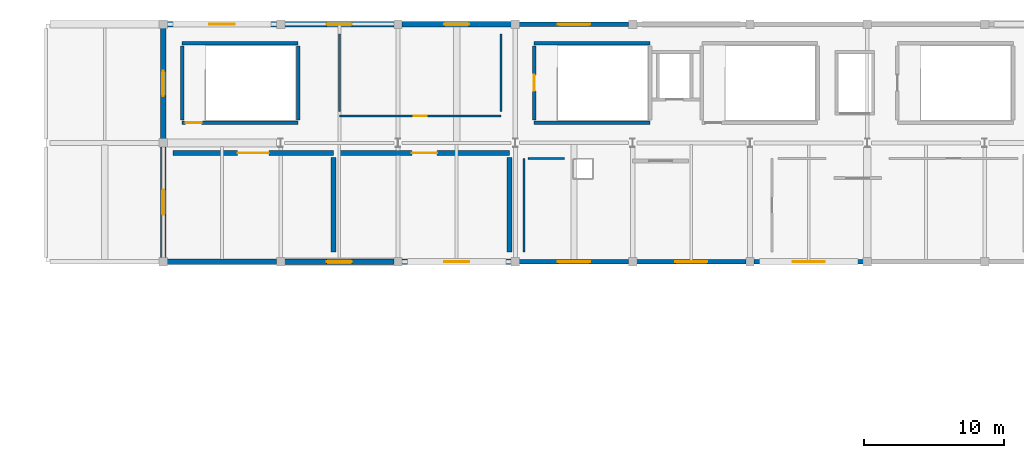
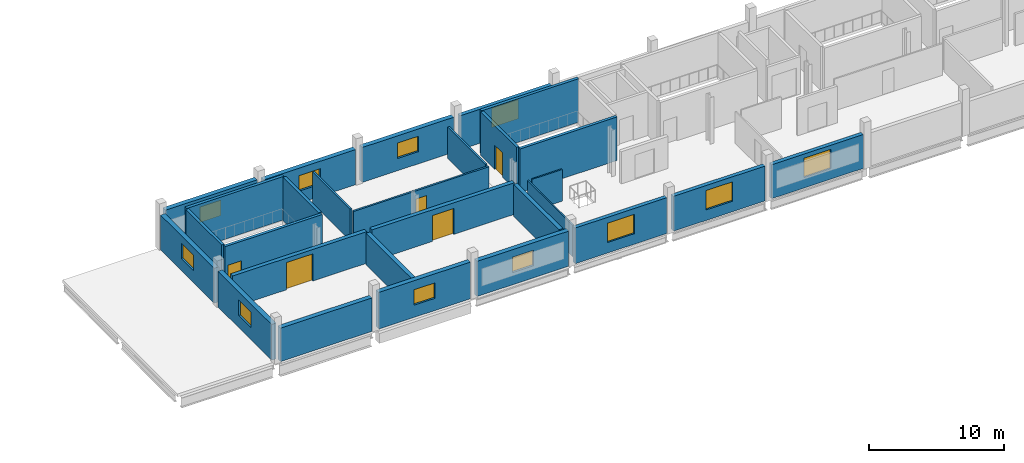
# One storey, part 9 of 13: 28 walls, 11 windows, 5 doors, 16 openings.
"""IFC4 building model written with IfcOpenShell, lengths in metres."""

from ifc_helpers import new_model, si_unit, direction, frame, frame_2d, origin, place, context, subcontext, project, spatial, rectangle, extrude, material, layer, layer_set, type_object, element, fill, save


model = new_model("IFC4")

# Units and contexts
model_context = context("Model", 3, precision=1e-05, world=origin(), true_north=direction((0.0, 1.0)))
body_context = subcontext(model_context, "Body", "Model", "MODEL_VIEW")
ifc_project = project(units=[si_unit("LENGTHUNIT", "METRE"), si_unit("AREAUNIT", "SQUARE_METRE"), si_unit("VOLUMEUNIT", "CUBIC_METRE"), si_unit("PLANEANGLEUNIT", "RADIAN"), si_unit("MASSUNIT", "GRAM", prefix="KILO")], contexts=[model_context])

# Site, building, storey
site_placement = place(None, origin())
site = spatial("IfcSite", under=ifc_project, at=site_placement, CompositionType="ELEMENT")
building_placement = place(site_placement, origin())
building = spatial("IfcBuilding", under=site, at=building_placement, Name="Solvento Point Concert Hall", CompositionType="ELEMENT")
storey_placement = place(building_placement, frame((0.0, 0.0, 23.699951171875)))
storey = spatial("IfcBuildingStorey", under=building, at=storey_placement, Name="L05", CompositionType="ELEMENT", Elevation=23.699951171875)

# Walls
ifc_material_1 = material(Name="Acoustic Double-Stud Gypsum Partition")
ifc_layer_1 = layer(ifc_material_1, 0.1201171875)
ifc_layer_set_1 = layer_set([ifc_layer_1], Name="Acoustic Double-Stud Gypsum Partition")
wall_type_1 = type_object("IfcWallType", Name="AcousticPartition_120", PredefinedType="PARTITIONING", material=ifc_layer_set_1)
wall_1_placement = place(storey_placement, frame((167.419921875, 119.699951171875, 0.0), z_axis=(0.0, 0.0, 1.0), x_axis=(0.0, 1.0, 0.0)))
element("IfcWall", 1, at=wall_1_placement, inside=storey, type_object=wall_type_1, Name="Interior acoustic partition PW-52 L05", PredefinedType="PARTITIONING", context=body_context, shape_type="SweptSolid", body=[
    extrude(rectangle(XDim=6.679931640625, YDim=0.1201171875, at=frame_2d((3.33984375, 0.0))), origin(), (0.0, 0.0, 1.0), 2.860107421875),
])
wall_2_placement = place(storey_placement, frame((167.739990234375, 126.3798828125, 0.0), z_axis=(0.0, 0.0, 1.0), x_axis=(1.0, 0.0, 0.0)))
element("IfcWall", 2, at=wall_2_placement, inside=storey, type_object=wall_type_1, Name="Interior acoustic partition PW-52 L05", PredefinedType="PARTITIONING", context=body_context, shape_type="SweptSolid", body=[
    extrude(rectangle(XDim=2.565185546875, YDim=0.1201171875, at=frame_2d((1.28271484375, 0.0))), origin(), (0.0, 0.0, 1.0), 2.860107421875),
])

# Wall, opening, door
ifc_material_2 = material(Name="Acoustic Double-Stud Gypsum Partition")
ifc_layer_2 = layer(ifc_material_2, 0.159912109375)
ifc_layer_set_2 = layer_set([ifc_layer_2], Name="Acoustic Double-Stud Gypsum Partition")
wall_type_2 = type_object("IfcWallType", Name="AcousticPartition_160", PredefinedType="PARTITIONING", material=ifc_layer_set_2)
wall_3_placement = place(storey_placement, frame((165.780029296875, 129.419921875, 0.0), z_axis=(0.0, 0.0, 1.0), x_axis=(-1.0, 0.0, 0.0)))
wall_3 = element("IfcWall", 3, at=wall_3_placement, inside=storey, type_object=wall_type_2, Name="Interior acoustic partition PW-97 L05", PredefinedType="PARTITIONING", context=body_context, shape_type="SweptSolid", body=[
    extrude(rectangle(XDim=11.56005859375, YDim=0.159912109375, at=frame_2d((5.780029296875, 0.0))), origin(), (0.0, 0.0, 1.0), 2.860107421875),
])
opening_1_placement = place(wall_3_placement, frame((5.320068359375, 0.0, 0.0)))
opening_1 = element("IfcOpeningElement", 4, at=opening_1_placement, cuts=wall_3, Name="Opening DR-46", PredefinedType="OPENING", context=body_context, shape_type="SweptSolid", body=[
    extrude(rectangle(XDim=0.919921875, YDim=2.1201171875, at=frame_2d((0.4599609375, 1.06005859375))), frame((0.0, 0.08984375, 0.0), z_axis=(0.0, -1.0, 0.0), x_axis=(1.0, 0.0, 0.0)), (0.0, 0.0, 1.0), 0.179931640625),
])
ifc_material_3 = material(Name="Brazilian Hardwood Acoustic Door", Category="wood")
door_type_1 = type_object("IfcDoorType", Name="IntDoor_AccessibleWC", OperationType="NOTDEFINED", PredefinedType="DOOR", material=ifc_material_3)
door_1_placement = place(opening_1_placement, origin())
door_1 = element("IfcDoor", 5, at=door_1_placement, inside=storey, type_object=door_type_1, Name="Interior door DR-46 L05", OperationType="SINGLE_SWING_LEFT", OverallHeight=2.1201171875, OverallWidth=0.919921875, PredefinedType="DOOR", context=body_context, shape_type="SweptSolid", body=[
    extrude(rectangle(XDim=0.919921875, YDim=2.1201171875, at=frame_2d((0.4599609375, 1.06005859375))), frame((0.0, 0.02490234375, 0.0), z_axis=(0.0, -1.0, 0.0), x_axis=(1.0, 0.0, 0.0)), (0.0, 0.0, 1.0), 0.050048828125),
])
fill(opening_1, door_1)

# Walls
for number, where, z_axis, x_axis, name in (
    (6, (165.780029296875, 135.300048828125, 0.0), (0.0, 0.0, 1.0), (0.0, -1.0, 0.0), "Interior acoustic partition PW-97 L05"),
    (7, (154.219970703125, 129.739990234375, 0.0), (0.0, 0.0, 1.0), (0.0, 1.0, 0.0), "Interior acoustic partition PW-97 L05"),
):
    element("IfcWall", number, at=place(storey_placement, frame(where, z_axis=z_axis, x_axis=x_axis)), inside=storey, type_object=wall_type_2, Name=name, PredefinedType="PARTITIONING", context=body_context, shape_type="SweptSolid", body=[
        extrude(rectangle(XDim=5.56005859375, YDim=0.159912109375, at=frame_2d((2.780029296875, 0.0))), origin(), (0.0, 0.0, 1.0), 2.860107421875),
    ])

# Wall, opening, door
ifc_material_4 = material(Name="Acoustic Double-Stud Gypsum Partition")
ifc_layer_3 = layer(ifc_material_4, 0.340087890625)
ifc_layer_set_3 = layer_set([ifc_layer_3], Name="Acoustic Double-Stud Gypsum Partition")
wall_type_3 = type_object("IfcWallType", Name="AcousticPartition_340", PredefinedType="PARTITIONING", material=ifc_layer_set_3)
wall_4_placement = place(storey_placement, frame((142.300048828125, 126.780029296875, 0.0), z_axis=(0.0, 0.0, 1.0), x_axis=(1.0, 0.0, 0.0)))
wall_4 = element("IfcWall", 8, at=wall_4_placement, inside=storey, type_object=wall_type_3, Name="Interior acoustic partition PW-24 L05", PredefinedType="PARTITIONING", context=body_context, shape_type="SweptSolid", body=[
    extrude(rectangle(XDim=11.47998046875, YDim=0.340087890625, at=frame_2d((5.739990234375, 0.0))), origin(), (0.0, 0.0, 1.0), 2.860107421875),
])
opening_2_placement = place(wall_4_placement, frame((4.614990234375, 0.0, 0.0)))
opening_2 = element("IfcOpeningElement", 9, at=opening_2_placement, cuts=wall_4, Name="Opening DR-49", PredefinedType="OPENING", context=body_context, shape_type="SweptSolid", body=[
    extrude(rectangle(XDim=2.25, YDim=2.4599609375, at=frame_2d((1.125, 1.22998046875))), frame((0.0, 0.179931640625, 0.0), z_axis=(0.0, -1.0, 0.0), x_axis=(1.0, 0.0, 0.0)), (0.0, 0.0, 1.0), 0.360107421875),
])
ifc_material_5 = material(Name="Brazilian Hardwood Acoustic Door", Category="wood")
door_type_2 = type_object("IfcDoorType", Name="IntDoor_AcousticAHU", OperationType="NOTDEFINED", PredefinedType="DOOR", material=ifc_material_5)
door_2_placement = place(opening_2_placement, origin())
door_2 = element("IfcDoor", 10, at=door_2_placement, inside=storey, type_object=door_type_2, Name="Interior door DR-49 L05", OperationType="SINGLE_SWING_LEFT", OverallHeight=2.4599609375, OverallWidth=2.25, PredefinedType="DOOR", context=body_context, shape_type="SweptSolid", body=[
    extrude(rectangle(XDim=2.25, YDim=2.4599609375, at=frame_2d((1.125, 1.22998046875))), frame((0.0, 0.02490234375, 0.0), z_axis=(0.0, -1.0, 0.0), x_axis=(1.0, 0.0, 0.0)), (0.0, 0.0, 1.0), 0.050048828125),
])
fill(opening_2, door_2)

# Wall
wall_5_placement = place(storey_placement, frame((153.780029296875, 126.4599609375, 0.0), z_axis=(0.0, 0.0, 1.0), x_axis=(0.0, -1.0, 0.0)))
element("IfcWall", 11, at=wall_5_placement, inside=storey, type_object=wall_type_3, Name="Interior acoustic partition PW-24 L05", PredefinedType="PARTITIONING", context=body_context, shape_type="SweptSolid", body=[
    extrude(rectangle(XDim=6.760009765625, YDim=0.340087890625, at=frame_2d((3.3798828125, 0.0))), origin(), (0.0, 0.0, 1.0), 2.860107421875),
])

# Wall, opening, door
wall_6_placement = place(storey_placement, frame((154.219970703125, 126.780029296875, 0.0), z_axis=(0.0, 0.0, 1.0), x_axis=(1.0, 0.0, 0.0)))
wall_6 = element("IfcWall", 12, at=wall_6_placement, inside=storey, type_object=wall_type_3, Name="Interior acoustic partition PW-24 L05", PredefinedType="PARTITIONING", context=body_context, shape_type="SweptSolid", body=[
    extrude(rectangle(XDim=12.159912109375, YDim=0.340087890625, at=frame_2d((6.080078125, 0.0))), origin(), (0.0, 0.0, 1.0), 2.860107421875),
])
opening_3_placement = place(wall_6_placement, frame((5.179931640625, 0.0, 0.0)))
opening_3 = element("IfcOpeningElement", 13, at=opening_3_placement, cuts=wall_6, Name="Opening DR-98", PredefinedType="OPENING", context=body_context, shape_type="SweptSolid", body=[
    extrude(rectangle(XDim=1.800048828125, YDim=2.340087890625, at=frame_2d((0.89990234375, 1.169921875))), frame((0.0, 0.179931640625, 0.0), z_axis=(0.0, -1.0, 0.0), x_axis=(1.0, 0.0, 0.0)), (0.0, 0.0, 1.0), 0.360107421875),
])
ifc_material_6 = material(Name="Brazilian Hardwood Acoustic Door", Category="wood")
door_type_3 = type_object("IfcDoorType", Name="IntDoor_SubstationPlant", OperationType="NOTDEFINED", PredefinedType="DOOR", material=ifc_material_6)
door_3_placement = place(opening_3_placement, origin())
door_3 = element("IfcDoor", 14, at=door_3_placement, inside=storey, type_object=door_type_3, Name="Interior door DR-98 L05", OperationType="SINGLE_SWING_RIGHT", OverallHeight=2.340087890625, OverallWidth=1.800048828125, PredefinedType="DOOR", context=body_context, shape_type="SweptSolid", body=[
    extrude(rectangle(XDim=1.800048828125, YDim=2.340087890625, at=frame_2d((0.89990234375, 1.169921875))), frame((0.0, 0.02490234375, 0.0), z_axis=(0.0, -1.0, 0.0), x_axis=(1.0, 0.0, 0.0)), (0.0, 0.0, 1.0), 0.050048828125),
])
fill(opening_3, door_3)

# Walls
wall_7_placement = place(storey_placement, frame((166.3798828125, 126.4599609375, 0.0), z_axis=(0.0, 0.0, 1.0), x_axis=(0.0, -1.0, 0.0)))
element("IfcWall", 15, at=wall_7_placement, inside=storey, type_object=wall_type_3, Name="Interior acoustic partition PW-24 L05", PredefinedType="PARTITIONING", context=body_context, shape_type="SweptSolid", body=[
    extrude(rectangle(XDim=6.760009765625, YDim=0.340087890625, at=frame_2d((3.3798828125, 0.0))), origin(), (0.0, 0.0, 1.0), 2.860107421875),
])
ifc_material_7 = material(Name="Concrete C40/50", Category="concrete")
ifc_layer_4 = layer(ifc_material_7, 0.300048828125)
ifc_layer_set_4 = layer_set([ifc_layer_4], Name="Concrete C40/50")
wall_type_4 = type_object("IfcWallType", Name="CoreShearWall_300", PredefinedType="SHEAR", material=ifc_layer_set_4)
for number, where, z_axis, x_axis, name in (
    (16, (176.449951171875, 128.949951171875, 0.0), (0.0, 0.0, 1.0), (-1.0, 0.0, 0.0), "Stair core shear wall W-SH1 ST-01 L05"),
    (17, (168.14990234375, 134.64990234375, 0.0), (0.0, 0.0, 1.0), (1.0, 0.0, 0.0), "Stair core shear wall W-SH1 ST-01 L05"),
):
    element("IfcWall", number, at=place(storey_placement, frame(where, z_axis=z_axis, x_axis=x_axis)), inside=storey, type_object=wall_type_4, Name=name, PredefinedType="SHEAR", context=body_context, shape_type="SweptSolid", body=[
        extrude(rectangle(XDim=8.300048828125, YDim=0.25, at=frame_2d((4.14990234375, 0.0))), origin(), (0.0, 0.0, 1.0), 3.93994140625),
    ])

# Wall, opening, door
wall_8_placement = place(storey_placement, frame((168.14990234375, 129.14990234375, 0.0), z_axis=(0.0, 0.0, 1.0), x_axis=(0.0, 1.0, 0.0)))
wall_8 = element("IfcWall", 18, at=wall_8_placement, inside=storey, type_object=wall_type_4, Name="Stair core shear wall W-SH1 ST-01 L05", PredefinedType="SHEAR", context=body_context, shape_type="SweptSolid", body=[
    extrude(rectangle(XDim=5.300048828125, YDim=0.25, at=frame_2d((2.64990234375, 0.0))), origin(), (0.0, 0.0, 1.0), 3.93994140625),
])
opening_4_placement = place(wall_8_placement, frame((2.074951171875, 0.0, 0.0)))
opening_4 = element("IfcOpeningElement", 19, at=opening_4_placement, cuts=wall_8, Name="Opening D-ST1", PredefinedType="OPENING", context=body_context, shape_type="SweptSolid", body=[
    extrude(rectangle(XDim=1.14990234375, YDim=2.179931640625, at=frame_2d((0.574951171875, 1.08984375))), frame((0.0, 0.135009765625, 0.0), z_axis=(0.0, -1.0, 0.0), x_axis=(1.0, 0.0, 0.0)), (0.0, 0.0, 1.0), 0.27001953125),
])
ifc_material_8 = material(Name="Hollow Metal Acoustic Fire Door")
door_type_4 = type_object("IfcDoorType", Name="StairFireDoor_1150", OperationType="NOTDEFINED", PredefinedType="DOOR", material=ifc_material_8)
door_4_placement = place(opening_4_placement, origin())
door_4 = element("IfcDoor", 20, at=door_4_placement, inside=storey, type_object=door_type_4, Name="Protected exit stair door ST-01 L05", OperationType="SINGLE_SWING_LEFT", OverallHeight=2.179931640625, OverallWidth=1.14990234375, PredefinedType="DOOR", context=body_context, shape_type="SweptSolid", body=[
    extrude(rectangle(XDim=1.14990234375, YDim=2.179931640625, at=frame_2d((0.574951171875, 1.08984375))), frame((0.0, 0.02490234375, 0.0), z_axis=(0.0, -1.0, 0.0), x_axis=(1.0, 0.0, 0.0)), (0.0, 0.0, 1.0), 0.050048828125),
])
fill(opening_4, door_4)

wall_9_placement = place(storey_placement, frame((151.25, 128.949951171875, 0.0), z_axis=(0.0, 0.0, 1.0), x_axis=(-1.0, 0.0, 0.0)))
wall_9 = element("IfcWall", 21, at=wall_9_placement, inside=storey, type_object=wall_type_4, Name="Stair core shear wall W-SH1 ST-12 L05", PredefinedType="SHEAR", context=body_context, shape_type="SweptSolid", body=[
    extrude(rectangle(XDim=8.300048828125, YDim=0.25, at=frame_2d((4.14990234375, 0.0))), origin(), (0.0, 0.0, 1.0), 3.93994140625),
])
opening_5_placement = place(wall_9_placement, frame((6.89990234375, 0.0, 0.0)))
opening_5 = element("IfcOpeningElement", 22, at=opening_5_placement, cuts=wall_9, Name="Opening D-ST1", PredefinedType="OPENING", context=body_context, shape_type="SweptSolid", body=[
    extrude(rectangle(XDim=1.14990234375, YDim=2.179931640625, at=frame_2d((0.574951171875, 1.08984375))), frame((0.0, 0.135009765625, 0.0), z_axis=(0.0, -1.0, 0.0), x_axis=(1.0, 0.0, 0.0)), (0.0, 0.0, 1.0), 0.27001953125),
])
door_5_placement = place(opening_5_placement, origin())
door_5 = element("IfcDoor", 23, at=door_5_placement, inside=storey, type_object=door_type_4, Name="Protected exit stair door ST-12 L05", OperationType="SINGLE_SWING_LEFT", OverallHeight=2.179931640625, OverallWidth=1.14990234375, PredefinedType="DOOR", context=body_context, shape_type="SweptSolid", body=[
    extrude(rectangle(XDim=1.14990234375, YDim=2.179931640625, at=frame_2d((0.574951171875, 1.08984375))), frame((0.0, 0.02490234375, 0.0), z_axis=(0.0, -1.0, 0.0), x_axis=(1.0, 0.0, 0.0)), (0.0, 0.0, 1.0), 0.050048828125),
])
fill(opening_5, door_5)

# Walls
wall_10_placement = place(storey_placement, frame((142.949951171875, 134.64990234375, 0.0), z_axis=(0.0, 0.0, 1.0), x_axis=(1.0, 0.0, 0.0)))
element("IfcWall", 24, at=wall_10_placement, inside=storey, type_object=wall_type_4, Name="Stair core shear wall W-SH1 ST-12 L05", PredefinedType="SHEAR", context=body_context, shape_type="SweptSolid", body=[
    extrude(rectangle(XDim=8.300048828125, YDim=0.25, at=frame_2d((4.14990234375, 0.0))), origin(), (0.0, 0.0, 1.0), 3.93994140625),
])
for number, where, z_axis, x_axis, name in (
    (25, (142.949951171875, 129.14990234375, 0.0), (0.0, 0.0, 1.0), (0.0, 1.0, 0.0), "Stair core shear wall W-SH1 ST-12 L05"),
    (26, (151.25, 134.449951171875, 0.0), (0.0, 0.0, 1.0), (0.0, -1.0, 0.0), "Stair core shear wall W-SH1 ST-12 L05"),
):
    element("IfcWall", number, at=place(storey_placement, frame(where, z_axis=z_axis, x_axis=x_axis)), inside=storey, type_object=wall_type_4, Name=name, PredefinedType="SHEAR", context=body_context, shape_type="SweptSolid", body=[
        extrude(rectangle(XDim=5.300048828125, YDim=0.25, at=frame_2d((2.64990234375, 0.0))), origin(), (0.0, 0.0, 1.0), 3.93994140625),
    ])
ifc_material_9 = material(Name="Concrete C40/50", Category="concrete")
ifc_layer_5 = layer(ifc_material_9, 0.389892578125)
ifc_layer_set_5 = layer_set([ifc_layer_5], Name="Concrete C40/50")
wall_type_5 = type_object("IfcWallType", Name="ExtWall_V1_Gallery_390", PredefinedType="SOLIDWALL", material=ifc_layer_set_5)
wall_11_placement = place(storey_placement, frame((149.719970703125, 119.0, 0.0), z_axis=(0.0, 0.0, 1.0), x_axis=(-1.0, 0.0, 0.0)))
element("IfcWall", 27, at=wall_11_placement, inside=storey, type_object=wall_type_5, Name="Exterior architectural concrete wall EW-28 L05", PredefinedType="SOLIDWALL", context=body_context, shape_type="SweptSolid", body=[
    extrude(rectangle(XDim=7.840087890625, YDim=0.389892578125, at=frame_2d((3.919921875, 0.0))), origin(), (0.0, 0.0, 1.0), 3.024169921875),
])

# Wall, opening, window
wall_12_placement = place(storey_placement, frame((158.1201171875, 119.0, 0.0), z_axis=(0.0, 0.0, 1.0), x_axis=(-1.0, 0.0, 0.0)))
wall_12 = element("IfcWall", 28, at=wall_12_placement, inside=storey, type_object=wall_type_5, Name="Exterior architectural concrete wall EW-28 L05", PredefinedType="SOLIDWALL", context=body_context, shape_type="SweptSolid", body=[
    extrude(rectangle(XDim=7.840087890625, YDim=0.389892578125, at=frame_2d((3.919921875, 0.0))), origin(), (0.0, 0.0, 1.0), 3.316162109375),
])
opening_6_placement = place(wall_12_placement, frame((3.02001953125, 0.0, 1.10009765625)))
opening_6 = element("IfcOpeningElement", 29, at=opening_6_placement, cuts=wall_12, Name="Opening WN-19", PredefinedType="OPENING", context=body_context, shape_type="SweptSolid", body=[
    extrude(rectangle(XDim=1.800048828125, YDim=1.39990234375, at=frame_2d((0.89990234375, 0.699951171875))), frame((0.0, 0.204833984375, 0.0), z_axis=(0.0, -1.0, 0.0), x_axis=(1.0, 0.0, 0.0)), (0.0, 0.0, 1.0), 0.409912109375),
])
ifc_material_10 = material(Name="Hurricane Laminated Low-E Glass", Category="glass")
window_type_1 = type_object("IfcWindowType", Name="Win_V1_PenthouseAHU", PartitioningType="SINGLE_PANEL", PredefinedType="WINDOW", material=ifc_material_10)
window_1_placement = place(opening_6_placement, origin())
window_1 = element("IfcWindow", 30, at=window_1_placement, inside=storey, type_object=window_type_1, Name="Impact acoustic window WN-19", OverallHeight=1.39990234375, OverallWidth=1.800048828125, PartitioningType="SINGLE_PANEL", PredefinedType="WINDOW", context=body_context, shape_type="SweptSolid", body=[
    extrude(rectangle(XDim=1.800048828125, YDim=1.39990234375, at=frame_2d((0.89990234375, 0.699951171875))), frame((0.0, 0.030029296875, 0.0), z_axis=(0.0, -1.0, 0.0), x_axis=(1.0, 0.0, 0.0)), (0.0, 0.0, 1.0), 0.06005859375),
])
fill(opening_6, window_1)

wall_13_placement = place(storey_placement, frame((166.52001953125, 119.0, 0.0), z_axis=(0.0, 0.0, 1.0), x_axis=(-1.0, 0.0, 0.0)))
wall_13 = element("IfcWall", 31, at=wall_13_placement, inside=storey, type_object=wall_type_5, Name="Exterior architectural concrete wall EW-28 L05", PredefinedType="SOLIDWALL", context=body_context, shape_type="SweptSolid", body=[
    extrude(rectangle(XDim=7.840087890625, YDim=0.389892578125, at=frame_2d((3.919921875, 0.0))), origin(), (0.0, 0.0, 1.0), 3.174072265625),
])
opening_7_placement = place(wall_13_placement, frame((3.02001953125, 0.0, 1.10009765625)))
opening_7 = element("IfcOpeningElement", 32, at=opening_7_placement, cuts=wall_13, Name="Opening WN-19", PredefinedType="OPENING", context=body_context, shape_type="SweptSolid", body=[
    extrude(rectangle(XDim=1.800048828125, YDim=1.39990234375, at=frame_2d((0.89990234375, 0.699951171875))), frame((0.0, 0.204833984375, 0.0), z_axis=(0.0, -1.0, 0.0), x_axis=(1.0, 0.0, 0.0)), (0.0, 0.0, 1.0), 0.409912109375),
])
window_2_placement = place(opening_7_placement, origin())
window_2 = element("IfcWindow", 33, at=window_2_placement, inside=storey, type_object=window_type_1, Name="Impact acoustic window WN-19", OverallHeight=1.39990234375, OverallWidth=1.800048828125, PartitioningType="SINGLE_PANEL", PredefinedType="WINDOW", context=body_context, shape_type="SweptSolid", body=[
    extrude(rectangle(XDim=1.800048828125, YDim=1.39990234375, at=frame_2d((0.89990234375, 0.699951171875))), frame((0.0, 0.030029296875, 0.0), z_axis=(0.0, -1.0, 0.0), x_axis=(1.0, 0.0, 0.0)), (0.0, 0.0, 1.0), 0.06005859375),
])
fill(opening_7, window_2)

wall_14_placement = place(storey_placement, frame((141.60009765625, 119.280029296875, 0.0), z_axis=(0.0, 0.0, 1.0), x_axis=(0.0, 1.0, 0.0)))
wall_14 = element("IfcWall", 34, at=wall_14_placement, inside=storey, type_object=wall_type_5, Name="Exterior architectural concrete wall EW-28 L05", PredefinedType="SOLIDWALL", context=body_context, shape_type="SweptSolid", body=[
    extrude(rectangle(XDim=7.93994140625, YDim=0.389892578125, at=frame_2d((3.969970703125, 0.0))), origin(), (0.0, 0.0, 1.0), 3.23095703125),
])
opening_8_placement = place(wall_14_placement, frame((3.070068359375, 0.0, 1.10009765625)))
opening_8 = element("IfcOpeningElement", 35, at=opening_8_placement, cuts=wall_14, Name="Opening WN-19", PredefinedType="OPENING", context=body_context, shape_type="SweptSolid", body=[
    extrude(rectangle(XDim=1.800048828125, YDim=1.39990234375, at=frame_2d((0.89990234375, 0.699951171875))), frame((0.0, 0.204833984375, 0.0), z_axis=(0.0, -1.0, 0.0), x_axis=(1.0, 0.0, 0.0)), (0.0, 0.0, 1.0), 0.409912109375),
])
window_3_placement = place(opening_8_placement, origin())
window_3 = element("IfcWindow", 36, at=window_3_placement, inside=storey, type_object=window_type_1, Name="Impact acoustic window WN-19", OverallHeight=1.39990234375, OverallWidth=1.800048828125, PartitioningType="SINGLE_PANEL", PredefinedType="WINDOW", context=body_context, shape_type="SweptSolid", body=[
    extrude(rectangle(XDim=1.800048828125, YDim=1.39990234375, at=frame_2d((0.89990234375, 0.699951171875))), frame((0.0, 0.030029296875, 0.0), z_axis=(0.0, -1.0, 0.0), x_axis=(1.0, 0.0, 0.0)), (0.0, 0.0, 1.0), 0.06005859375),
])
fill(opening_8, window_3)

wall_15_placement = place(storey_placement, frame((141.60009765625, 127.780029296875, 0.0), z_axis=(0.0, 0.0, 1.0), x_axis=(0.0, 1.0, 0.0)))
wall_15 = element("IfcWall", 37, at=wall_15_placement, inside=storey, type_object=wall_type_5, Name="Exterior architectural concrete wall EW-28 L05", PredefinedType="SOLIDWALL", context=body_context, shape_type="SweptSolid", body=[
    extrude(rectangle(XDim=7.93994140625, YDim=0.389892578125, at=frame_2d((3.969970703125, 0.0))), origin(), (0.0, 0.0, 1.0), 3.154052734375),
])
opening_9_placement = place(wall_15_placement, frame((3.070068359375, 0.0, 1.10009765625)))
opening_9 = element("IfcOpeningElement", 38, at=opening_9_placement, cuts=wall_15, Name="Opening WN-19", PredefinedType="OPENING", context=body_context, shape_type="SweptSolid", body=[
    extrude(rectangle(XDim=1.800048828125, YDim=1.39990234375, at=frame_2d((0.89990234375, 0.699951171875))), frame((0.0, 0.204833984375, 0.0), z_axis=(0.0, -1.0, 0.0), x_axis=(1.0, 0.0, 0.0)), (0.0, 0.0, 1.0), 0.409912109375),
])
window_4_placement = place(opening_9_placement, origin())
window_4 = element("IfcWindow", 39, at=window_4_placement, inside=storey, type_object=window_type_1, Name="Impact acoustic window WN-19", OverallHeight=1.39990234375, OverallWidth=1.800048828125, PartitioningType="SINGLE_PANEL", PredefinedType="WINDOW", context=body_context, shape_type="SweptSolid", body=[
    extrude(rectangle(XDim=1.800048828125, YDim=1.39990234375, at=frame_2d((0.89990234375, 0.699951171875))), frame((0.0, 0.030029296875, 0.0), z_axis=(0.0, -1.0, 0.0), x_axis=(1.0, 0.0, 0.0)), (0.0, 0.0, 1.0), 0.06005859375),
])
fill(opening_9, window_4)

wall_16_placement = place(storey_placement, frame((141.8798828125, 136.0, 0.0), z_axis=(0.0, 0.0, 1.0), x_axis=(1.0, 0.0, 0.0)))
wall_16 = element("IfcWall", 40, at=wall_16_placement, inside=storey, type_object=wall_type_5, Name="Exterior architectural concrete wall EW-28 L05", PredefinedType="SOLIDWALL", context=body_context, shape_type="SweptSolid", body=[
    extrude(rectangle(XDim=7.840087890625, YDim=0.389892578125, at=frame_2d((3.919921875, 0.0))), origin(), (0.0, 0.0, 1.0), 3.375),
])
opening_10_placement = place(wall_16_placement, frame((3.02001953125, 0.0, 1.10009765625)))
opening_10 = element("IfcOpeningElement", 41, at=opening_10_placement, cuts=wall_16, Name="Opening WN-19", PredefinedType="OPENING", context=body_context, shape_type="SweptSolid", body=[
    extrude(rectangle(XDim=1.800048828125, YDim=1.39990234375, at=frame_2d((0.89990234375, 0.699951171875))), frame((0.0, 0.204833984375, 0.0), z_axis=(0.0, -1.0, 0.0), x_axis=(1.0, 0.0, 0.0)), (0.0, 0.0, 1.0), 0.409912109375),
])
window_5_placement = place(opening_10_placement, origin())
window_5 = element("IfcWindow", 42, at=window_5_placement, inside=storey, type_object=window_type_1, Name="Impact acoustic window WN-19", OverallHeight=1.39990234375, OverallWidth=1.800048828125, PartitioningType="SINGLE_PANEL", PredefinedType="WINDOW", context=body_context, shape_type="SweptSolid", body=[
    extrude(rectangle(XDim=1.800048828125, YDim=1.39990234375, at=frame_2d((0.89990234375, 0.699951171875))), frame((0.0, 0.030029296875, 0.0), z_axis=(0.0, -1.0, 0.0), x_axis=(1.0, 0.0, 0.0)), (0.0, 0.0, 1.0), 0.06005859375),
])
fill(opening_10, window_5)

wall_17_placement = place(storey_placement, frame((150.280029296875, 136.0, 0.0), z_axis=(0.0, 0.0, 1.0), x_axis=(1.0, 0.0, 0.0)))
wall_17 = element("IfcWall", 43, at=wall_17_placement, inside=storey, type_object=wall_type_5, Name="Exterior architectural concrete wall EW-28 L05", PredefinedType="SOLIDWALL", context=body_context, shape_type="SweptSolid", body=[
    extrude(rectangle(XDim=7.840087890625, YDim=0.389892578125, at=frame_2d((3.919921875, 0.0))), origin(), (0.0, 0.0, 1.0), 3.174072265625),
])
opening_11_placement = place(wall_17_placement, frame((3.02001953125, 0.0, 1.10009765625)))
opening_11 = element("IfcOpeningElement", 44, at=opening_11_placement, cuts=wall_17, Name="Opening WN-19", PredefinedType="OPENING", context=body_context, shape_type="SweptSolid", body=[
    extrude(rectangle(XDim=1.800048828125, YDim=1.39990234375, at=frame_2d((0.89990234375, 0.699951171875))), frame((0.0, 0.204833984375, 0.0), z_axis=(0.0, -1.0, 0.0), x_axis=(1.0, 0.0, 0.0)), (0.0, 0.0, 1.0), 0.409912109375),
])
window_6_placement = place(opening_11_placement, origin())
window_6 = element("IfcWindow", 45, at=window_6_placement, inside=storey, type_object=window_type_1, Name="Impact acoustic window WN-19", OverallHeight=1.39990234375, OverallWidth=1.800048828125, PartitioningType="SINGLE_PANEL", PredefinedType="WINDOW", context=body_context, shape_type="SweptSolid", body=[
    extrude(rectangle(XDim=1.800048828125, YDim=1.39990234375, at=frame_2d((0.89990234375, 0.699951171875))), frame((0.0, 0.030029296875, 0.0), z_axis=(0.0, -1.0, 0.0), x_axis=(1.0, 0.0, 0.0)), (0.0, 0.0, 1.0), 0.06005859375),
])
fill(opening_11, window_6)

wall_18_placement = place(storey_placement, frame((158.679931640625, 136.0, 0.0), z_axis=(0.0, 0.0, 1.0), x_axis=(1.0, 0.0, 0.0)))
wall_18 = element("IfcWall", 46, at=wall_18_placement, inside=storey, type_object=wall_type_5, Name="Exterior architectural concrete wall EW-28 L05", PredefinedType="SOLIDWALL", context=body_context, shape_type="SweptSolid", body=[
    extrude(rectangle(XDim=7.840087890625, YDim=0.389892578125, at=frame_2d((3.919921875, 0.0))), origin(), (0.0, 0.0, 1.0), 3.154052734375),
])
opening_12_placement = place(wall_18_placement, frame((3.02001953125, 0.0, 1.10009765625)))
opening_12 = element("IfcOpeningElement", 47, at=opening_12_placement, cuts=wall_18, Name="Opening WN-19", PredefinedType="OPENING", context=body_context, shape_type="SweptSolid", body=[
    extrude(rectangle(XDim=1.800048828125, YDim=1.39990234375, at=frame_2d((0.89990234375, 0.699951171875))), frame((0.0, 0.204833984375, 0.0), z_axis=(0.0, -1.0, 0.0), x_axis=(1.0, 0.0, 0.0)), (0.0, 0.0, 1.0), 0.409912109375),
])
window_7_placement = place(opening_12_placement, origin())
window_7 = element("IfcWindow", 48, at=window_7_placement, inside=storey, type_object=window_type_1, Name="Impact acoustic window WN-19", OverallHeight=1.39990234375, OverallWidth=1.800048828125, PartitioningType="SINGLE_PANEL", PredefinedType="WINDOW", context=body_context, shape_type="SweptSolid", body=[
    extrude(rectangle(XDim=1.800048828125, YDim=1.39990234375, at=frame_2d((0.89990234375, 0.699951171875))), frame((0.0, 0.030029296875, 0.0), z_axis=(0.0, -1.0, 0.0), x_axis=(1.0, 0.0, 0.0)), (0.0, 0.0, 1.0), 0.06005859375),
])
fill(opening_12, window_7)

ifc_material_11 = material(Name="Concrete C35/45", Category="concrete")
ifc_layer_6 = layer(ifc_material_11, 0.330078125)
ifc_layer_set_6 = layer_set([ifc_layer_6], Name="Concrete C35/45")
wall_type_6 = type_object("IfcWallType", Name="ExtWall_V5_Plinth_330", PredefinedType="SOLIDWALL", material=ifc_layer_set_6)
wall_19_placement = place(storey_placement, frame((167.080078125, 136.0, 0.0), z_axis=(0.0, 0.0, 1.0), x_axis=(1.0, 0.0, 0.0)))
wall_19 = element("IfcWall", 49, at=wall_19_placement, inside=storey, type_object=wall_type_6, Name="Exterior architectural concrete wall EW-72 L05", PredefinedType="SOLIDWALL", context=body_context, shape_type="SweptSolid", body=[
    extrude(rectangle(XDim=7.83984375, YDim=0.330078125, at=frame_2d((3.919921875, 0.0))), origin(), (0.0, 0.0, 1.0), 3.06494140625),
])
opening_13_placement = place(wall_19_placement, frame((2.77001953125, 0.0, 0.949951171875)))
opening_13 = element("IfcOpeningElement", 50, at=opening_13_placement, cuts=wall_19, Name="Opening WN-81", PredefinedType="OPENING", context=body_context, shape_type="SweptSolid", body=[
    extrude(rectangle(XDim=2.300048828125, YDim=1.75, at=frame_2d((1.14990234375, 0.875))), frame((0.0, 0.175048828125, 0.0), z_axis=(0.0, -1.0, 0.0), x_axis=(1.0, 0.0, 0.0)), (0.0, 0.0, 1.0), 0.35009765625),
])
ifc_material_12 = material(Name="Hurricane Laminated Low-E Glass", Category="glass")
window_type_2 = type_object("IfcWindowType", Name="Win_V5_AdminRibbon_L05", PartitioningType="SINGLE_PANEL", PredefinedType="WINDOW", material=ifc_material_12)
window_8_placement = place(opening_13_placement, origin())
window_8 = element("IfcWindow", 51, at=window_8_placement, inside=storey, type_object=window_type_2, Name="Impact acoustic window WN-81", OverallHeight=1.75, OverallWidth=2.300048828125, PartitioningType="SINGLE_PANEL", PredefinedType="WINDOW", context=body_context, shape_type="SweptSolid", body=[
    extrude(rectangle(XDim=2.300048828125, YDim=1.75, at=frame_2d((1.14990234375, 0.875))), frame((0.0, 0.030029296875, 0.0), z_axis=(0.0, -1.0, 0.0), x_axis=(1.0, 0.0, 0.0)), (0.0, 0.0, 1.0), 0.06005859375),
])
fill(opening_13, window_8)

wall_20_placement = place(storey_placement, frame((174.919921875, 119.0, 0.0), z_axis=(0.0, 0.0, 1.0), x_axis=(-1.0, 0.0, 0.0)))
wall_20 = element("IfcWall", 52, at=wall_20_placement, inside=storey, type_object=wall_type_6, Name="Exterior architectural concrete wall EW-72 L05", PredefinedType="SOLIDWALL", context=body_context, shape_type="SweptSolid", body=[
    extrude(rectangle(XDim=7.83984375, YDim=0.330078125, at=frame_2d((3.919921875, 0.0))), origin(), (0.0, 0.0, 1.0), 3.23095703125),
])
opening_14_placement = place(wall_20_placement, frame((2.77001953125, 0.0, 0.949951171875)))
opening_14 = element("IfcOpeningElement", 53, at=opening_14_placement, cuts=wall_20, Name="Opening WN-81", PredefinedType="OPENING", context=body_context, shape_type="SweptSolid", body=[
    extrude(rectangle(XDim=2.300048828125, YDim=1.75, at=frame_2d((1.14990234375, 0.875))), frame((0.0, 0.175048828125, 0.0), z_axis=(0.0, -1.0, 0.0), x_axis=(1.0, 0.0, 0.0)), (0.0, 0.0, 1.0), 0.35009765625),
])
window_9_placement = place(opening_14_placement, origin())
window_9 = element("IfcWindow", 54, at=window_9_placement, inside=storey, type_object=window_type_2, Name="Impact acoustic window WN-81", OverallHeight=1.75, OverallWidth=2.300048828125, PartitioningType="SINGLE_PANEL", PredefinedType="WINDOW", context=body_context, shape_type="SweptSolid", body=[
    extrude(rectangle(XDim=2.300048828125, YDim=1.75, at=frame_2d((1.14990234375, 0.875))), frame((0.0, 0.030029296875, 0.0), z_axis=(0.0, -1.0, 0.0), x_axis=(1.0, 0.0, 0.0)), (0.0, 0.0, 1.0), 0.06005859375),
])
fill(opening_14, window_9)

wall_21_placement = place(storey_placement, frame((183.320068359375, 119.0, 0.0), z_axis=(0.0, 0.0, 1.0), x_axis=(-1.0, 0.0, 0.0)))
wall_21 = element("IfcWall", 55, at=wall_21_placement, inside=storey, type_object=wall_type_6, Name="Exterior architectural concrete wall EW-72 L05", PredefinedType="SOLIDWALL", context=body_context, shape_type="SweptSolid", body=[
    extrude(rectangle(XDim=7.840087890625, YDim=0.330078125, at=frame_2d((3.919921875, 0.0))), origin(), (0.0, 0.0, 1.0), 3.154052734375),
])
opening_15_placement = place(wall_21_placement, frame((2.77001953125, 0.0, 0.949951171875)))
opening_15 = element("IfcOpeningElement", 56, at=opening_15_placement, cuts=wall_21, Name="Opening WN-81", PredefinedType="OPENING", context=body_context, shape_type="SweptSolid", body=[
    extrude(rectangle(XDim=2.300048828125, YDim=1.75, at=frame_2d((1.14990234375, 0.875))), frame((0.0, 0.175048828125, 0.0), z_axis=(0.0, -1.0, 0.0), x_axis=(1.0, 0.0, 0.0)), (0.0, 0.0, 1.0), 0.35009765625),
])
window_10_placement = place(opening_15_placement, origin())
window_10 = element("IfcWindow", 57, at=window_10_placement, inside=storey, type_object=window_type_2, Name="Impact acoustic window WN-81", OverallHeight=1.75, OverallWidth=2.300048828125, PartitioningType="SINGLE_PANEL", PredefinedType="WINDOW", context=body_context, shape_type="SweptSolid", body=[
    extrude(rectangle(XDim=2.300048828125, YDim=1.75, at=frame_2d((1.14990234375, 0.875))), frame((0.0, 0.030029296875, 0.0), z_axis=(0.0, -1.0, 0.0), x_axis=(1.0, 0.0, 0.0)), (0.0, 0.0, 1.0), 0.06005859375),
])
fill(opening_15, window_10)

wall_22_placement = place(storey_placement, frame((191.719970703125, 119.0, 0.0), z_axis=(0.0, 0.0, 1.0), x_axis=(-1.0, 0.0, 0.0)))
wall_22 = element("IfcWall", 58, at=wall_22_placement, inside=storey, type_object=wall_type_6, Name="Exterior architectural concrete wall EW-72 L05", PredefinedType="SOLIDWALL", context=body_context, shape_type="SweptSolid", body=[
    extrude(rectangle(XDim=7.840087890625, YDim=0.330078125, at=frame_2d((3.919921875, 0.0))), origin(), (0.0, 0.0, 1.0), 3.06494140625),
])
opening_16_placement = place(wall_22_placement, frame((2.77001953125, 0.0, 0.949951171875)))
opening_16 = element("IfcOpeningElement", 59, at=opening_16_placement, cuts=wall_22, Name="Opening WN-81", PredefinedType="OPENING", context=body_context, shape_type="SweptSolid", body=[
    extrude(rectangle(XDim=2.300048828125, YDim=1.75, at=frame_2d((1.14990234375, 0.875))), frame((0.0, 0.175048828125, 0.0), z_axis=(0.0, -1.0, 0.0), x_axis=(1.0, 0.0, 0.0)), (0.0, 0.0, 1.0), 0.35009765625),
])
window_11_placement = place(opening_16_placement, origin())
window_11 = element("IfcWindow", 60, at=window_11_placement, inside=storey, type_object=window_type_2, Name="Impact acoustic window WN-81", OverallHeight=1.75, OverallWidth=2.300048828125, PartitioningType="SINGLE_PANEL", PredefinedType="WINDOW", context=body_context, shape_type="SweptSolid", body=[
    extrude(rectangle(XDim=2.300048828125, YDim=1.75, at=frame_2d((1.14990234375, 0.875))), frame((0.0, 0.030029296875, 0.0), z_axis=(0.0, -1.0, 0.0), x_axis=(1.0, 0.0, 0.0)), (0.0, 0.0, 1.0), 0.06005859375),
])
fill(opening_16, window_11)

save(model, "model.ifc")
